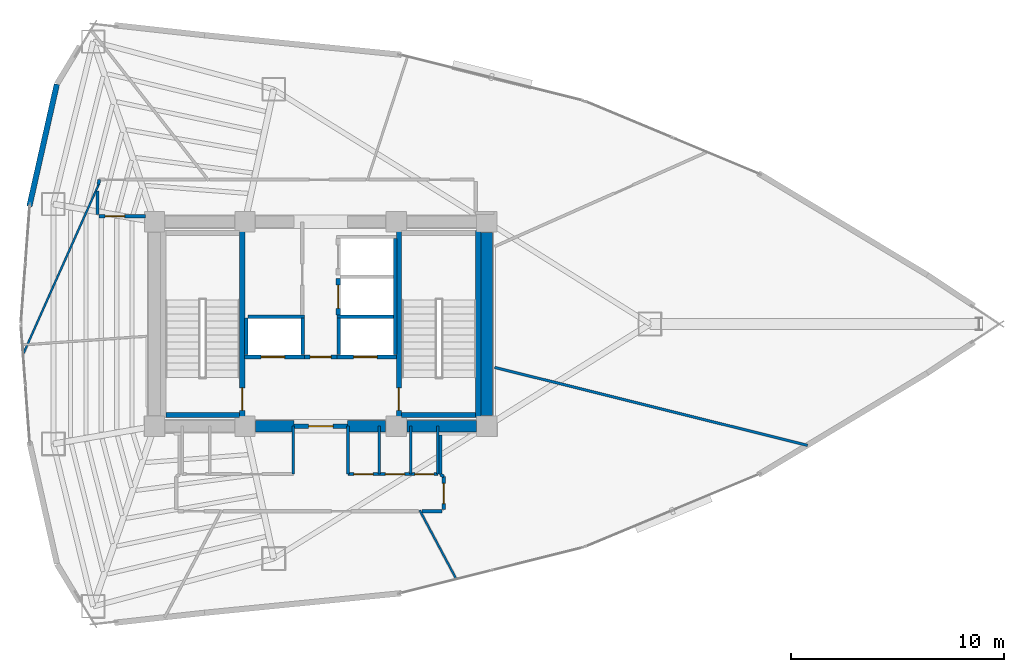
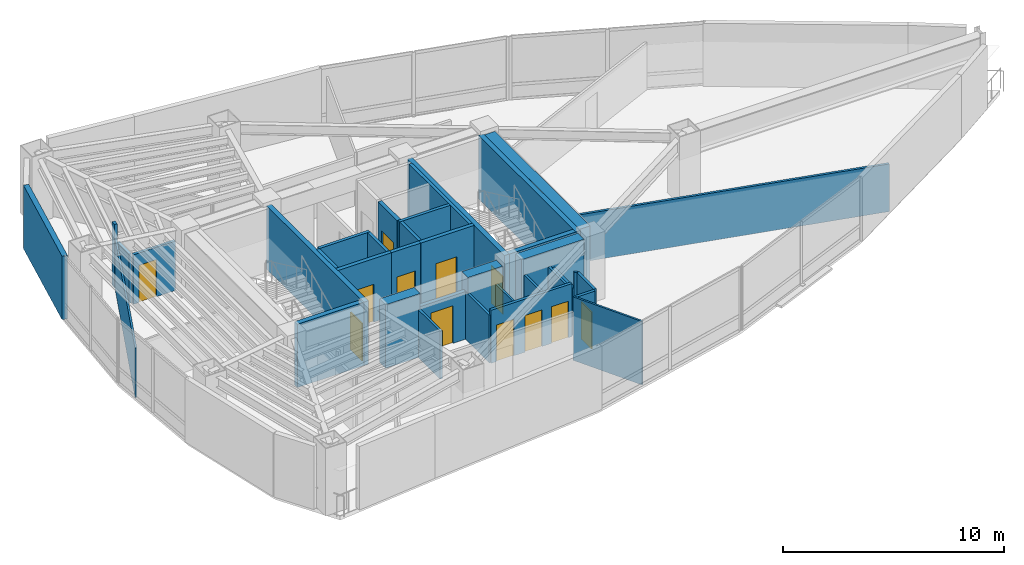
# One storey, part 14 of 18: 37 walls, 12 doors, 12 openings.
"""IFC4 building model written with IfcOpenShell, lengths in metres."""

from ifc_helpers import new_model, si_unit, direction, frame, frame_2d, origin, place, context, subcontext, project, spatial, rectangle, extrude, material, layer, layer_set, type_object, element, fill, save


model = new_model("IFC4")

# Units and contexts
model_context = context("Model", 3, precision=1e-05, world=origin(), true_north=direction((0.0, 1.0)))
body_context = subcontext(model_context, "Body", "Model", "MODEL_VIEW")
ifc_project = project(units=[si_unit("LENGTHUNIT", "METRE"), si_unit("AREAUNIT", "SQUARE_METRE"), si_unit("VOLUMEUNIT", "CUBIC_METRE"), si_unit("PLANEANGLEUNIT", "RADIAN"), si_unit("MASSUNIT", "GRAM", prefix="KILO")], contexts=[model_context])

# Site, building, storey
site_placement = place(None, origin())
site = spatial("IfcSite", under=ifc_project, at=site_placement, CompositionType="ELEMENT")
building_placement = place(site_placement, origin())
building = spatial("IfcBuilding", under=site, at=building_placement, Name="Menara Vayukalpa", CompositionType="ELEMENT")
storey_placement = place(building_placement, frame((0.0, 0.0, 158.0400390625)))
storey = spatial("IfcBuildingStorey", under=building, at=storey_placement, Name="L39", CompositionType="ELEMENT", Elevation=158.0400390625)

# Walls
ifc_material_1 = material(Name="Concrete C60/75", Category="concrete")
ifc_layer_1 = layer(ifc_material_1, 0.550048828125)
ifc_layer_set_1 = layer_set([ifc_layer_1], Name="Concrete C60/75")
wall_type_1 = type_object("IfcWallType", Name="WAL-CW550", PredefinedType="SHEAR", material=ifc_layer_set_1)
wall_1_placement = place(storey_placement, frame((22.544921875, 17.199951171875, 0.0), z_axis=(0.0, 0.0, 1.0), x_axis=(1.0, 0.0, 0.0)))
element("IfcWall", 1, at=wall_1_placement, inside=storey, type_object=wall_type_1, Name="L39 Buttressed Core Shear Wall CWS2", PredefinedType="SHEAR", context=body_context, shape_type="SweptSolid", body=[
    extrude(rectangle(XDim=1.80517578125, YDim=0.550048828125, at=frame_2d((0.902587890625, 0.0))), origin(), (0.0, 0.0, 1.0), 3.5),
])
wall_2_placement = place(storey_placement, frame((26.85009765625, 17.199951171875, 0.0), z_axis=(0.0, 0.0, 1.0), x_axis=(1.0, 0.0, 0.0)))
element("IfcWall", 2, at=wall_2_placement, inside=storey, type_object=wall_type_1, Name="L39 Buttressed Core Shear Wall CWS3", PredefinedType="SHEAR", context=body_context, shape_type="SweptSolid", body=[
    extrude(rectangle(XDim=1.804931640625, YDim=0.550048828125, at=frame_2d((0.90234375, 0.0))), origin(), (0.0, 0.0, 1.0), 3.5),
])
wall_3_placement = place(storey_placement, frame((29.64501953125, 17.199951171875, 0.0), z_axis=(0.0, 0.0, 1.0), x_axis=(1.0, 0.0, 0.0)))
element("IfcWall", 3, at=wall_3_placement, inside=storey, type_object=wall_type_1, Name="L39 Buttressed Core Shear Wall CWS4", PredefinedType="SHEAR", context=body_context, shape_type="SweptSolid", body=[
    extrude(rectangle(XDim=3.260009765625, YDim=0.550048828125, at=frame_2d((1.6298828125, 0.0))), origin(), (0.0, 0.0, 1.0), 3.5),
])
wall_4_placement = place(storey_placement, frame((33.39990234375, 17.695068359375, 0.0), z_axis=(0.0, 0.0, 1.0), x_axis=(0.0, 1.0, 0.0)))
element("IfcWall", 4, at=wall_4_placement, inside=storey, type_object=wall_type_1, Name="L39 Buttressed Core Shear Wall CWE1", PredefinedType="SHEAR", context=body_context, shape_type="SweptSolid", body=[
    extrude(rectangle(XDim=8.60986328125, YDim=0.550048828125, at=frame_2d((4.304931640625, 0.0))), origin(), (0.0, 0.0, 1.0), 3.5),
])
ifc_material_2 = material(Name="Insulated Precast Concrete C40/50", Category="concrete")
ifc_layer_2 = layer(ifc_material_2, 0.260009765625)
ifc_layer_set_2 = layer_set([ifc_layer_2], Name="Insulated Precast Concrete C40/50")
wall_type_2 = type_object("IfcWallType", Name="WAL-EXT260", PredefinedType="PARTITIONING", material=ifc_layer_set_2)
wall_5_placement = place(storey_placement, frame((11.925048828125, 27.5244140625, 0.0), z_axis=(0.0, 0.0, 1.0), x_axis=(0.219491422264, 0.975614429758, 0.0)))
element("IfcWall", 5, at=wall_5_placement, inside=storey, type_object=wall_type_2, Name="L39 Perimeter Terracotta Pier Wall 09", PredefinedType="PARTITIONING", context=body_context, shape_type="SweptSolid", body=[
    extrude(rectangle(XDim=5.873046875, YDim=0.260009765625, at=frame_2d((2.9365234375, 0.0))), origin(), (0.0, 0.0, 1.0), 3.5),
])
ifc_material_3 = material(Name="Lightweight Concrete Blockwork C16/20", Category="masonry")
ifc_layer_3 = layer(ifc_material_3, 0.159912109375)
ifc_layer_set_3 = layer_set([ifc_layer_3], Name="Lightweight Concrete Blockwork C16/20")
wall_type_3 = type_object("IfcWallType", Name="WAL-FR150", PredefinedType="PARTITIONING", material=ifc_layer_set_3)
for number, where, z_axis, x_axis, name in (
    (6, (22.10498046875, 20.56005859375, 0.0), (0.0, 0.0, 1.0), (0.0, 1.0, 0.0), "L39 Interior Partition IW-L39-SHW-WW"),
    (7, (24.7548828125, 20.56005859375, 0.0), (0.0, 0.0, 1.0), (0.0, 1.0, 0.0), "L39 Interior Partition IW-L39-SHW-W1E"),
):
    element("IfcWall", number, at=place(storey_placement, frame(where, z_axis=z_axis, x_axis=x_axis)), inside=storey, type_object=wall_type_3, Name=name, PredefinedType="PARTITIONING", context=body_context, shape_type="SweptSolid", body=[
        extrude(rectangle(XDim=1.7099609375, YDim=0.159912109375, at=frame_2d((0.85498046875, 0.0))), origin(), (0.0, 0.0, 1.0), 3.5),
    ])
wall_6_placement = place(storey_placement, frame((22.179931640625, 22.344970703125, 0.0), z_axis=(0.0, 0.0, 1.0), x_axis=(1.0, 0.0, 0.0)))
element("IfcWall", 8, at=wall_6_placement, inside=storey, type_object=wall_type_3, Name="L39 Interior Partition IW-L39-SHM-W12", PredefinedType="PARTITIONING", context=body_context, shape_type="SweptSolid", body=[
    extrude(rectangle(XDim=2.650146484375, YDim=0.159912109375, at=frame_2d((1.3251953125, 0.0))), origin(), (0.0, 0.0, 1.0), 3.5),
])
wall_7_placement = place(storey_placement, frame((29.094970703125, 20.56005859375, 0.0), z_axis=(0.0, 0.0, 1.0), x_axis=(0.0, 1.0, 0.0)))
element("IfcWall", 9, at=wall_7_placement, inside=storey, type_object=wall_type_3, Name="L39 Interior Partition IW-L39-SHW-EE", PredefinedType="PARTITIONING", context=body_context, shape_type="SweptSolid", body=[
    extrude(rectangle(XDim=5.449951171875, YDim=0.159912109375, at=frame_2d((2.72509765625, 0.0))), origin(), (0.0, 0.0, 1.0), 3.5),
])
wall_8_placement = place(storey_placement, frame((26.445068359375, 20.56005859375, 0.0), z_axis=(0.0, 0.0, 1.0), x_axis=(0.0, 1.0, 0.0)))
element("IfcWall", 10, at=wall_8_placement, inside=storey, type_object=wall_type_3, Name="L39 Interior Partition IW-L39-SHW-E1W", PredefinedType="PARTITIONING", context=body_context, shape_type="SweptSolid", body=[
    extrude(rectangle(XDim=1.7099609375, YDim=0.159912109375, at=frame_2d((0.85498046875, 0.0))), origin(), (0.0, 0.0, 1.0), 3.5),
])
wall_9_placement = place(storey_placement, frame((26.3701171875, 22.344970703125, 0.0), z_axis=(0.0, 0.0, 1.0), x_axis=(1.0, 0.0, 0.0)))
element("IfcWall", 11, at=wall_9_placement, inside=storey, type_object=wall_type_3, Name="L39 Interior Partition IW-L39-SHM-E13", PredefinedType="PARTITIONING", context=body_context, shape_type="SweptSolid", body=[
    extrude(rectangle(XDim=2.64990234375, YDim=0.159912109375, at=frame_2d((1.324951171875, 0.0))), origin(), (0.0, 0.0, 1.0), 3.5),
])

# Wall, opening, door
ifc_material_4 = material(Name="Lightweight Concrete Blockwork C16/20", Category="masonry")
ifc_layer_4 = layer(ifc_material_4, 0.199951171875)
ifc_layer_set_4 = layer_set([ifc_layer_4], Name="Lightweight Concrete Blockwork C16/20")
wall_type_4 = type_object("IfcWallType", Name="WAL-FR200", PredefinedType="PARTITIONING", material=ifc_layer_set_4)
wall_10_placement = place(storey_placement, frame((24.35009765625, 17.199951171875, 0.0), z_axis=(0.0, 0.0, 1.0), x_axis=(1.0, 0.0, 0.0)))
wall_10 = element("IfcWall", 12, at=wall_10_placement, inside=storey, type_object=wall_type_4, Name="L39 Interior Partition IW-L39-FFLS", PredefinedType="PARTITIONING", context=body_context, shape_type="SweptSolid", body=[
    extrude(rectangle(XDim=2.5, YDim=0.199951171875, at=frame_2d((1.25, 0.0))), origin(), (0.0, 0.0, 1.0), 2.6298828125),
])
opening_1_placement = place(wall_10_placement, frame((0.679931640625, 0.0, 0.0)))
opening_1 = element("IfcOpeningElement", 13, at=opening_1_placement, cuts=wall_10, Name="Opening ID2", PredefinedType="OPENING", context=body_context, shape_type="SweptSolid", body=[
    extrude(rectangle(XDim=1.14990234375, YDim=2.080078125, at=frame_2d((0.574951171875, 1.0400390625))), frame((0.0, 0.10986328125, 0.0), z_axis=(0.0, -1.0, 0.0), x_axis=(1.0, 0.0, 0.0)), (0.0, 0.0, 1.0), 0.219970703125),
])
ifc_material_5 = material(Name="Fire-Rated Powder-Coated Steel Door", Category="steel")
door_type_1 = type_object("IfcDoorType", Name="DR-FD60W", OperationType="NOTDEFINED", PredefinedType="DOOR", material=ifc_material_5)
door_1_placement = place(opening_1_placement, origin())
door_1 = element("IfcDoor", 14, at=door_1_placement, inside=storey, type_object=door_type_1, Name="L39 Interior Door DR-L39-FFLS", OperationType="SINGLE_SWING_LEFT", OverallHeight=2.080078125, OverallWidth=1.14990234375, PredefinedType="DOOR", context=body_context, shape_type="SweptSolid", body=[
    extrude(rectangle(XDim=1.14990234375, YDim=2.080078125, at=frame_2d((0.574951171875, 1.0400390625))), frame((0.0, 0.02490234375, 0.0), z_axis=(0.0, -1.0, 0.0), x_axis=(1.0, 0.0, 0.0)), (0.0, 0.0, 1.0), 0.050048828125),
])
fill(opening_1, door_1)

wall_11_placement = place(storey_placement, frame((24.840087890625, 20.449951171875, 0.0), z_axis=(0.0, 0.0, 1.0), x_axis=(1.0, 0.0, 0.0)))
wall_11 = element("IfcWall", 15, at=wall_11_placement, inside=storey, type_object=wall_type_4, Name="L39 Interior Partition IW-L39-FFLN", PredefinedType="PARTITIONING", context=body_context, shape_type="SweptSolid", body=[
    extrude(rectangle(XDim=1.52001953125, YDim=0.199951171875, at=frame_2d((0.760009765625, 0.0))), origin(), (0.0, 0.0, 1.0), 3.5),
])
opening_2_placement = place(wall_11_placement, frame((0.27001953125, 0.0, 0.0)))
opening_2 = element("IfcOpeningElement", 16, at=opening_2_placement, cuts=wall_11, Name="Opening ID3", PredefinedType="OPENING", context=body_context, shape_type="SweptSolid", body=[
    extrude(rectangle(XDim=0.97998046875, YDim=2.06005859375, at=frame_2d((0.489990234375, 1.030029296875))), frame((0.0, 0.10986328125, 0.0), z_axis=(0.0, -1.0, 0.0), x_axis=(1.0, 0.0, 0.0)), (0.0, 0.0, 1.0), 0.219970703125),
])
ifc_material_6 = material(Name="Fire-Rated Powder-Coated Steel Door", Category="steel")
door_type_2 = type_object("IfcDoorType", Name="DR-FD60", OperationType="NOTDEFINED", PredefinedType="DOOR", material=ifc_material_6)
door_2_placement = place(opening_2_placement, origin())
door_2 = element("IfcDoor", 17, at=door_2_placement, inside=storey, type_object=door_type_2, Name="L39 Interior Door DR-L39-FFLN", OperationType="SINGLE_SWING_RIGHT", OverallHeight=2.06005859375, OverallWidth=0.97998046875, PredefinedType="DOOR", context=body_context, shape_type="SweptSolid", body=[
    extrude(rectangle(XDim=0.97998046875, YDim=2.06005859375, at=frame_2d((0.489990234375, 1.030029296875))), frame((0.0, 0.02490234375, 0.0), z_axis=(0.0, -1.0, 0.0), x_axis=(1.0, 0.0, 0.0)), (0.0, 0.0, 1.0), 0.050048828125),
])
fill(opening_2, door_2)

wall_12_placement = place(storey_placement, frame((22.030029296875, 20.449951171875, 0.0), z_axis=(0.0, 0.0, 1.0), x_axis=(1.0, 0.0, 0.0)))
wall_12 = element("IfcWall", 18, at=wall_12_placement, inside=storey, type_object=wall_type_4, Name="L39 Interior Partition IW-L39-SH-W1", PredefinedType="PARTITIONING", context=body_context, shape_type="SweptSolid", body=[
    extrude(rectangle(XDim=2.800048828125, YDim=0.199951171875, at=frame_2d((1.39990234375, 0.0))), origin(), (0.0, 0.0, 1.0), 3.5),
])
opening_3_placement = place(wall_12_placement, frame((0.780029296875, 0.0, 0.0)))
opening_3 = element("IfcOpeningElement", 19, at=opening_3_placement, cuts=wall_12, Name="Opening LD1", PredefinedType="OPENING", context=body_context, shape_type="SweptSolid", body=[
    extrude(rectangle(XDim=1.10009765625, YDim=2.080078125, at=frame_2d((0.550048828125, 1.0400390625))), frame((0.0, 0.10986328125, 0.0), z_axis=(0.0, -1.0, 0.0), x_axis=(1.0, 0.0, 0.0)), (0.0, 0.0, 1.0), 0.219970703125),
])
ifc_material_7 = material(Name="Brushed Stainless Steel 316 Lift Door", Category="steel")
door_type_3 = type_object("IfcDoorType", Name="DR-LD110", OperationType="NOTDEFINED", PredefinedType="DOOR", material=ifc_material_7)
door_3_placement = place(opening_3_placement, origin())
door_3 = element("IfcDoor", 20, at=door_3_placement, inside=storey, type_object=door_type_3, Name="L39 Interior Door DR-L39-LD-W1", OperationType="DOUBLE_DOOR_SLIDING", OverallHeight=2.080078125, OverallWidth=1.10009765625, PredefinedType="DOOR", context=body_context, shape_type="SweptSolid", body=[
    extrude(rectangle(XDim=1.10009765625, YDim=2.080078125, at=frame_2d((0.550048828125, 1.0400390625))), frame((0.0, 0.02490234375, 0.0), z_axis=(0.0, -1.0, 0.0), x_axis=(1.0, 0.0, 0.0)), (0.0, 0.0, 1.0), 0.050048828125),
])
fill(opening_3, door_3)

wall_13_placement = place(storey_placement, frame((26.3701171875, 20.449951171875, 0.0), z_axis=(0.0, 0.0, 1.0), x_axis=(1.0, 0.0, 0.0)))
wall_13 = element("IfcWall", 21, at=wall_13_placement, inside=storey, type_object=wall_type_4, Name="L39 Interior Partition IW-L39-SH-E1", PredefinedType="PARTITIONING", context=body_context, shape_type="SweptSolid", body=[
    extrude(rectangle(XDim=2.7998046875, YDim=0.199951171875, at=frame_2d((1.39990234375, 0.0))), origin(), (0.0, 0.0, 1.0), 3.5),
])
opening_4_placement = place(wall_13_placement, frame((0.780029296875, 0.0, 0.0)))
opening_4 = element("IfcOpeningElement", 22, at=opening_4_placement, cuts=wall_13, Name="Opening LD1", PredefinedType="OPENING", context=body_context, shape_type="SweptSolid", body=[
    extrude(rectangle(XDim=1.10009765625, YDim=2.080078125, at=frame_2d((0.550048828125, 1.0400390625))), frame((0.0, 0.10986328125, 0.0), z_axis=(0.0, -1.0, 0.0), x_axis=(1.0, 0.0, 0.0)), (0.0, 0.0, 1.0), 0.219970703125),
])
door_4_placement = place(opening_4_placement, origin())
door_4 = element("IfcDoor", 23, at=door_4_placement, inside=storey, type_object=door_type_3, Name="L39 Interior Door DR-L39-LD-E1", OperationType="DOUBLE_DOOR_SLIDING", OverallHeight=2.080078125, OverallWidth=1.10009765625, PredefinedType="DOOR", context=body_context, shape_type="SweptSolid", body=[
    extrude(rectangle(XDim=1.10009765625, YDim=2.080078125, at=frame_2d((0.550048828125, 1.0400390625))), frame((0.0, 0.02490234375, 0.0), z_axis=(0.0, -1.0, 0.0), x_axis=(1.0, 0.0, 0.0)), (0.0, 0.0, 1.0), 0.050048828125),
])
fill(opening_4, door_4)

wall_14_placement = place(storey_placement, frame((26.419921875, 22.419921875, 0.0), z_axis=(0.0, 0.0, 1.0), x_axis=(0.0, 1.0, 0.0)))
wall_14 = element("IfcWall", 24, at=wall_14_placement, inside=storey, type_object=wall_type_4, Name="L39 Interior Partition IW-L39-SH-E3", PredefinedType="PARTITIONING", context=body_context, shape_type="SweptSolid", body=[
    extrude(rectangle(XDim=1.719970703125, YDim=0.199951171875, at=frame_2d((0.85986328125, 0.0))), origin(), (0.0, 0.0, 1.0), 3.5),
])
opening_5_placement = place(wall_14_placement, frame((0.31005859375, 0.0, 0.0)))
opening_5 = element("IfcOpeningElement", 25, at=opening_5_placement, cuts=wall_14, Name="Opening LD1", PredefinedType="OPENING", context=body_context, shape_type="SweptSolid", body=[
    extrude(rectangle(XDim=1.10009765625, YDim=2.080078125, at=frame_2d((0.550048828125, 1.0400390625))), frame((0.0, 0.10986328125, 0.0), z_axis=(0.0, -1.0, 0.0), x_axis=(1.0, 0.0, 0.0)), (0.0, 0.0, 1.0), 0.219970703125),
])
door_5_placement = place(opening_5_placement, origin())
door_5 = element("IfcDoor", 26, at=door_5_placement, inside=storey, type_object=door_type_3, Name="L39 Interior Door DR-L39-LD-E3", OperationType="DOUBLE_DOOR_SLIDING", OverallHeight=2.080078125, OverallWidth=1.10009765625, PredefinedType="DOOR", context=body_context, shape_type="SweptSolid", body=[
    extrude(rectangle(XDim=1.10009765625, YDim=2.080078125, at=frame_2d((0.550048828125, 1.0400390625))), frame((0.0, 0.02490234375, 0.0), z_axis=(0.0, -1.0, 0.0), x_axis=(1.0, 0.0, 0.0)), (0.0, 0.0, 1.0), 0.050048828125),
])
fill(opening_5, door_5)

# Walls
ifc_material_8 = material(Name="Glazed Demountable Office Partition", Category="glass")
ifc_layer_5 = layer(ifc_material_8, 0.094970703125)
ifc_layer_set_5 = layer_set([ifc_layer_5], Name="Glazed Demountable Office Partition")
wall_type_5 = type_object("IfcWallType", Name="WAL-PT100", PredefinedType="PARTITIONING", material=ifc_layer_set_5)
wall_15_placement = place(storey_placement, frame((30.2470703125, 13.260009765625, 0.0), z_axis=(0.0, 0.0, 1.0), x_axis=(0.469475406562, -0.882945549076, 0.0)))
element("IfcWall", 27, at=wall_15_placement, inside=storey, type_object=wall_type_5, Name="L39 Interior Partition IW-L39-RDIV06", PredefinedType="PARTITIONING", context=body_context, shape_type="SweptSolid", body=[
    extrude(rectangle(XDim=3.67919921875, YDim=0.094970703125, at=frame_2d((1.839599609375, 0.0))), origin(), (0.0, 0.0, 1.0), 3.5),
])
wall_16_placement = place(storey_placement, frame((15.169921875, 28.531005859375, 0.0), z_axis=(0.0, 0.0, 1.0), x_axis=(-0.406717829794, -0.913553833623, 0.0)))
element("IfcWall", 28, at=wall_16_placement, inside=storey, type_object=wall_type_5, Name="L39 Interior Partition IW-L39-RDIV08", PredefinedType="PARTITIONING", context=body_context, shape_type="SweptSolid", body=[
    extrude(rectangle(XDim=8.7177734375, YDim=0.094970703125, at=frame_2d((4.35888671875, 0.0))), origin(), (0.0, 0.0, 1.0), 2.72998046875),
])
ifc_material_9 = material(Name="Acoustic Mineral Stud Partition", Category="masonry")
ifc_layer_6 = layer(ifc_material_9, 0.110107421875)
ifc_layer_set_6 = layer_set([ifc_layer_6], Name="Acoustic Mineral Stud Partition")
wall_type_6 = type_object("IfcWallType", Name="WAL-PT110", PredefinedType="PARTITIONING", material=ifc_layer_set_6)
wall_17_placement = place(storey_placement, frame((28.35009765625, 14.949951171875, 0.0), z_axis=(0.0, 0.0, 1.0), x_axis=(0.0, 1.0, 0.0)))
element("IfcWall", 29, at=wall_17_placement, inside=storey, type_object=wall_type_6, Name="L39 Interior Partition IW-L39-SVCD-05", PredefinedType="PARTITIONING", context=body_context, shape_type="SweptSolid", body=[
    extrude(rectangle(XDim=2.25, YDim=0.110107421875, at=frame_2d((1.125, 0.0))), origin(), (0.0, 0.0, 1.0), 2.6298828125),
])
ifc_material_10 = material(Name="Gypsum Drywall Steel Stud Assembly", Category="steel")
ifc_layer_7 = layer(ifc_material_10, 0.125)
ifc_layer_set_7 = layer_set([ifc_layer_7], Name="Gypsum Drywall Steel Stud Assembly")
wall_type_7 = type_object("IfcWallType", Name="WAL-PT125", PredefinedType="PARTITIONING", material=ifc_layer_set_7)
for number, where, z_axis, x_axis, name in (
    (30, (24.320068359375, 14.949951171875, 0.0), (0.0, 0.0, 1.0), (0.0, 1.0, 0.0), "L39 Interior Partition IW-L39-SVCD-03"),
    (31, (26.8798828125, 14.949951171875, 0.0), (0.0, 0.0, 1.0), (0.0, 1.0, 0.0), "L39 Interior Partition IW-L39-SVCD-04"),
    (32, (29.830078125, 14.949951171875, 0.0), (0.0, 0.0, 1.0), (0.0, 1.0, 0.0), "L39 Interior Partition IW-L39-SVCD-06"),
    (33, (31.10009765625, 14.949951171875, 0.0), (0.0, 0.0, 1.0), (0.0, 1.0, 0.0), "L39 Interior Partition IW-L39-SVCD-07"),
):
    element("IfcWall", number, at=place(storey_placement, frame(where, z_axis=z_axis, x_axis=x_axis)), inside=storey, type_object=wall_type_7, Name=name, PredefinedType="PARTITIONING", context=body_context, shape_type="SweptSolid", body=[
        extrude(rectangle(XDim=2.25, YDim=0.125, at=frame_2d((1.125, 0.0))), origin(), (0.0, 0.0, 1.0), 2.6298828125),
    ])
wall_18_placement = place(storey_placement, frame((33.77001953125, 19.962890625, 0.0), z_axis=(0.0, 0.0, 1.0), x_axis=(0.970295996232, -0.241920812863, 0.0)))
element("IfcWall", 34, at=wall_18_placement, inside=storey, type_object=wall_type_7, Name="L39 Interior Partition IW-L39-RDIV07", PredefinedType="PARTITIONING", context=body_context, shape_type="SweptSolid", body=[
    extrude(rectangle(XDim=15.1376953125, YDim=0.125, at=frame_2d((7.56884765625, 0.0))), origin(), (0.0, 0.0, 1.0), 2.6298828125),
])

# Wall, openings, doors
ifc_material_11 = material(Name="Gypsum Drywall Acoustic Stud Assembly", Category="masonry")
ifc_layer_8 = layer(ifc_material_11, 0.14501953125)
ifc_layer_set_8 = layer_set([ifc_layer_8], Name="Gypsum Drywall Acoustic Stud Assembly")
wall_type_8 = type_object("IfcWallType", Name="WAL-PT150", PredefinedType="PARTITIONING", material=ifc_layer_set_8)
wall_19_placement = place(storey_placement, frame((26.8798828125, 14.949951171875, 0.0), z_axis=(0.0, 0.0, 1.0), x_axis=(1.0, 0.0, 0.0)))
wall_19 = element("IfcWall", 35, at=wall_19_placement, inside=storey, type_object=wall_type_8, Name="L39 Interior Partition IW-L39-SVCS-E", PredefinedType="PARTITIONING", context=body_context, shape_type="SweptSolid", body=[
    extrude(rectangle(XDim=4.22021484375, YDim=0.14501953125, at=frame_2d((2.110107421875, 0.0))), origin(), (0.0, 0.0, 1.0), 2.929931640625),
])
opening_6_placement = place(wall_19_placement, frame((0.280029296875, 0.0, 0.0)))
opening_6 = element("IfcOpeningElement", 36, at=opening_6_placement, cuts=wall_19, Name="Opening ID7", PredefinedType="OPENING", context=body_context, shape_type="SweptSolid", body=[
    extrude(rectangle(XDim=0.89990234375, YDim=2.02001953125, at=frame_2d((0.449951171875, 1.010009765625))), frame((0.0, 0.08251953125, 0.0), z_axis=(0.0, -1.0, 0.0), x_axis=(1.0, 0.0, 0.0)), (0.0, 0.0, 1.0), 0.1650390625),
])
opening_7_placement = place(wall_19_placement, frame((1.760009765625, 0.0, 0.0)))
opening_7 = element("IfcOpeningElement", 37, at=opening_7_placement, cuts=wall_19, Name="Opening ID7", PredefinedType="OPENING", context=body_context, shape_type="SweptSolid", body=[
    extrude(rectangle(XDim=0.89990234375, YDim=2.02001953125, at=frame_2d((0.449951171875, 1.010009765625))), frame((0.0, 0.08251953125, 0.0), z_axis=(0.0, -1.0, 0.0), x_axis=(1.0, 0.0, 0.0)), (0.0, 0.0, 1.0), 0.1650390625),
])
opening_8_placement = place(wall_19_placement, frame((3.139892578125, 0.0, 0.0)))
opening_8 = element("IfcOpeningElement", 38, at=opening_8_placement, cuts=wall_19, Name="Opening ID7", PredefinedType="OPENING", context=body_context, shape_type="SweptSolid", body=[
    extrude(rectangle(XDim=0.89990234375, YDim=2.02001953125, at=frame_2d((0.449951171875, 1.010009765625))), frame((0.0, 0.08251953125, 0.0), z_axis=(0.0, -1.0, 0.0), x_axis=(1.0, 0.0, 0.0)), (0.0, 0.0, 1.0), 0.1650390625),
])
ifc_material_12 = material(Name="Powder-Coated Steel Riser Access Door", Category="steel")
door_type_4 = type_object("IfcDoorType", Name="DR-RISER", OperationType="NOTDEFINED", PredefinedType="DOOR", material=ifc_material_12)
door_6_placement = place(opening_6_placement, origin())
door_6 = element("IfcDoor", 39, at=door_6_placement, inside=storey, type_object=door_type_4, Name="L39 Interior Door DR-L39-KSV1", OperationType="SINGLE_SWING_RIGHT", OverallHeight=2.02001953125, OverallWidth=0.89990234375, PredefinedType="DOOR", context=body_context, shape_type="SweptSolid", body=[
    extrude(rectangle(XDim=0.89990234375, YDim=2.02001953125, at=frame_2d((0.449951171875, 1.010009765625))), frame((0.0, 0.02490234375, 0.0), z_axis=(0.0, -1.0, 0.0), x_axis=(1.0, 0.0, 0.0)), (0.0, 0.0, 1.0), 0.050048828125),
])
fill(opening_6, door_6)
door_7_placement = place(opening_7_placement, origin())
door_7 = element("IfcDoor", 40, at=door_7_placement, inside=storey, type_object=door_type_4, Name="L39 Interior Door DR-L39-KSV2", OperationType="SINGLE_SWING_LEFT", OverallHeight=2.02001953125, OverallWidth=0.89990234375, PredefinedType="DOOR", context=body_context, shape_type="SweptSolid", body=[
    extrude(rectangle(XDim=0.89990234375, YDim=2.02001953125, at=frame_2d((0.449951171875, 1.010009765625))), frame((0.0, 0.02490234375, 0.0), z_axis=(0.0, -1.0, 0.0), x_axis=(1.0, 0.0, 0.0)), (0.0, 0.0, 1.0), 0.050048828125),
])
fill(opening_7, door_7)
door_8_placement = place(opening_8_placement, origin())
door_8 = element("IfcDoor", 41, at=door_8_placement, inside=storey, type_object=door_type_4, Name="L39 Interior Door DR-L39-SMD", OperationType="SINGLE_SWING_RIGHT", OverallHeight=2.02001953125, OverallWidth=0.89990234375, PredefinedType="DOOR", context=body_context, shape_type="SweptSolid", body=[
    extrude(rectangle(XDim=0.89990234375, YDim=2.02001953125, at=frame_2d((0.449951171875, 1.010009765625))), frame((0.0, 0.02490234375, 0.0), z_axis=(0.0, -1.0, 0.0), x_axis=(1.0, 0.0, 0.0)), (0.0, 0.0, 1.0), 0.050048828125),
])
fill(opening_8, door_8)

# Wall
wall_20_placement = place(storey_placement, frame((30.35302734375, 13.2099609375, 0.0), z_axis=(0.0, 0.0, 1.0), x_axis=(1.0, 0.0, 0.0)))
element("IfcWall", 42, at=wall_20_placement, inside=storey, type_object=wall_type_8, Name="L39 Interior Partition IW-L39-CRM03-1", PredefinedType="PARTITIONING", context=body_context, shape_type="SweptSolid", body=[
    extrude(rectangle(XDim=0.947021484375, YDim=0.14501953125, at=frame_2d((0.4736328125, 0.0))), origin(), (0.0, 0.0, 1.0), 3.5),
])

# Wall, opening, door
wall_21_placement = place(storey_placement, frame((31.3798828125, 13.2900390625, 0.0), z_axis=(0.0, 0.0, 1.0), x_axis=(0.0, 1.0, 0.0)))
wall_21 = element("IfcWall", 43, at=wall_21_placement, inside=storey, type_object=wall_type_8, Name="L39 Interior Partition IW-L39-CRM03-2", PredefinedType="PARTITIONING", context=body_context, shape_type="SweptSolid", body=[
    extrude(rectangle(XDim=1.56005859375, YDim=0.14501953125, at=frame_2d((0.780029296875, 0.0))), origin(), (0.0, 0.0, 1.0), 3.5),
])
opening_9_placement = place(wall_21_placement, frame((0.280029296875, 0.0, 0.0)))
opening_9 = element("IfcOpeningElement", 44, at=opening_9_placement, cuts=wall_21, Name="Opening ID5", PredefinedType="OPENING", context=body_context, shape_type="SweptSolid", body=[
    extrude(rectangle(XDim=0.949951171875, YDim=2.06005859375, at=frame_2d((0.47509765625, 1.030029296875))), frame((0.0, 0.08251953125, 0.0), z_axis=(0.0, -1.0, 0.0), x_axis=(1.0, 0.0, 0.0)), (0.0, 0.0, 1.0), 0.1650390625),
])
ifc_material_13 = material(Name="Acoustic Hardwood Veneer Timber Door", Category="wood")
door_type_5 = type_object("IfcDoorType", Name="DR-INT95", OperationType="NOTDEFINED", PredefinedType="DOOR", material=ifc_material_13)
door_9_placement = place(opening_9_placement, origin())
door_9 = element("IfcDoor", 45, at=door_9_placement, inside=storey, type_object=door_type_5, Name="L39 Interior Door DR-L39-RM03", OperationType="SINGLE_SWING_LEFT", OverallHeight=2.06005859375, OverallWidth=0.949951171875, PredefinedType="DOOR", context=body_context, shape_type="SweptSolid", body=[
    extrude(rectangle(XDim=0.949951171875, YDim=2.06005859375, at=frame_2d((0.47509765625, 1.030029296875))), frame((0.0, 0.02490234375, 0.0), z_axis=(0.0, -1.0, 0.0), x_axis=(1.0, 0.0, 0.0)), (0.0, 0.0, 1.0), 0.050048828125),
])
fill(opening_9, door_9)

# Wall
wall_22_placement = place(storey_placement, frame((31.219970703125, 14.929931640625, 0.0), z_axis=(0.0, 0.0, 1.0), x_axis=(0.0, 1.0, 0.0)))
element("IfcWall", 46, at=wall_22_placement, inside=storey, type_object=wall_type_8, Name="L39 Interior Partition IW-L39-CRM03-3", PredefinedType="PARTITIONING", context=body_context, shape_type="SweptSolid", body=[
    extrude(rectangle(XDim=1.85009765625, YDim=0.14501953125, at=frame_2d((0.925048828125, 0.0))), origin(), (0.0, 0.0, 1.0), 2.6298828125),
])

# Wall, opening, door
wall_23_placement = place(storey_placement, frame((15.199951171875, 27.06005859375, 0.0), z_axis=(0.0, 0.0, 1.0), x_axis=(1.0, 0.0, 0.0)))
wall_23 = element("IfcWall", 47, at=wall_23_placement, inside=storey, type_object=wall_type_8, Name="L39 Interior Partition IW-L39-CRM08-1", PredefinedType="PARTITIONING", context=body_context, shape_type="SweptSolid", body=[
    extrude(rectangle(XDim=2.179931640625, YDim=0.14501953125, at=frame_2d((1.08984375, 0.0))), origin(), (0.0, 0.0, 1.0), 2.72998046875),
])
opening_10_placement = place(wall_23_placement, frame((0.280029296875, 0.0, 0.0)))
opening_10 = element("IfcOpeningElement", 48, at=opening_10_placement, cuts=wall_23, Name="Opening ID6", PredefinedType="OPENING", context=body_context, shape_type="SweptSolid", body=[
    extrude(rectangle(XDim=0.919921875, YDim=2.050048828125, at=frame_2d((0.4599609375, 1.02490234375))), frame((0.0, 0.08251953125, 0.0), z_axis=(0.0, -1.0, 0.0), x_axis=(1.0, 0.0, 0.0)), (0.0, 0.0, 1.0), 0.1650390625),
])
ifc_material_14 = material(Name="Acoustic Hardwood Veneer Timber Door", Category="wood")
door_type_6 = type_object("IfcDoorType", Name="DR-INT92", OperationType="NOTDEFINED", PredefinedType="DOOR", material=ifc_material_14)
door_10_placement = place(opening_10_placement, origin())
door_10 = element("IfcDoor", 49, at=door_10_placement, inside=storey, type_object=door_type_6, Name="L39 Interior Door DR-L39-RM08", OperationType="SINGLE_SWING_LEFT", OverallHeight=2.050048828125, OverallWidth=0.919921875, PredefinedType="DOOR", context=body_context, shape_type="SweptSolid", body=[
    extrude(rectangle(XDim=0.919921875, YDim=2.050048828125, at=frame_2d((0.4599609375, 1.02490234375))), frame((0.0, 0.02490234375, 0.0), z_axis=(0.0, -1.0, 0.0), x_axis=(1.0, 0.0, 0.0)), (0.0, 0.0, 1.0), 0.050048828125),
])
fill(opening_10, door_10)

# Walls
wall_24_placement = place(storey_placement, frame((15.1201171875, 28.24658203125, 0.0), z_axis=(0.0, 0.0, 1.0), x_axis=(0.0, -1.0, 0.0)))
element("IfcWall", 50, at=wall_24_placement, inside=storey, type_object=wall_type_8, Name="L39 Interior Partition IW-L39-CRM08-2", PredefinedType="PARTITIONING", context=body_context, shape_type="SweptSolid", body=[
    extrude(rectangle(XDim=1.106689453125, YDim=0.14501953125, at=frame_2d((0.55322265625, 0.0))), origin(), (0.0, 0.0, 1.0), 2.72998046875),
])
wall_25_placement = place(storey_placement, frame((31.3798828125, 14.85009765625, 0.0), z_axis=(0.0, 0.0, 1.0), x_axis=(-0.89470021502, 0.446667130247, 0.0)))
element("IfcWall", 51, at=wall_25_placement, inside=storey, type_object=wall_type_8, Name="L39 Interior Partition IW-L39-CRM03-2-R1", PredefinedType="PARTITIONING", context=body_context, shape_type="SweptSolid", body=[
    extrude(rectangle(XDim=0.1787109375, YDim=0.14501953125, at=frame_2d((0.08935546875, 0.0))), origin(), (0.0, 0.0, 1.0), 3.5),
])
wall_26_placement = place(storey_placement, frame((15.199951171875, 28.780029296875, 0.0), z_axis=(0.0, 0.0, 1.0), x_axis=(-0.119720914767, -0.992807585873, 0.0)))
element("IfcWall", 52, at=wall_26_placement, inside=storey, type_object=wall_type_8, Name="L39 Interior Partition IW-L39-CRM07-1-R1", PredefinedType="PARTITIONING", context=body_context, shape_type="SweptSolid", body=[
    extrude(rectangle(XDim=0.250732421875, YDim=0.14501953125, at=frame_2d((0.12548828125, 0.0))), origin(), (0.0, 0.0, 1.0), 3.5),
])

# Wall, opening, door
ifc_material_15 = material(Name="Concrete C50/60", Category="concrete")
ifc_layer_9 = layer(ifc_material_15, 0.25)
ifc_layer_set_9 = layer_set([ifc_layer_9], Name="Concrete C50/60")
wall_type_9 = type_object("IfcWallType", Name="WAL-SW250", PredefinedType="SHEAR", material=ifc_layer_set_9)
wall_27_placement = place(storey_placement, frame((21.925048828125, 17.60009765625, 0.0), z_axis=(0.0, 0.0, 1.0), x_axis=(0.0, 1.0, 0.0)))
wall_27 = element("IfcWall", 53, at=wall_27_placement, inside=storey, type_object=wall_type_9, Name="L39 ST1 Structural Stair Shaft Wall E", PredefinedType="SHEAR", context=body_context, shape_type="SweptSolid", body=[
    extrude(rectangle(XDim=8.7998046875, YDim=0.25, at=frame_2d((4.39990234375, 0.0))), origin(), (0.0, 0.0, 1.0), 3.5),
])
opening_11_placement = place(wall_27_placement, frame((0.35009765625, 0.0, 0.0)))
opening_11 = element("IfcOpeningElement", 54, at=opening_11_placement, cuts=wall_27, Name="Opening ID1", PredefinedType="OPENING", context=body_context, shape_type="SweptSolid", body=[
    extrude(rectangle(XDim=1.050048828125, YDim=2.080078125, at=frame_2d((0.52490234375, 1.0400390625))), frame((0.0, 0.135009765625, 0.0), z_axis=(0.0, -1.0, 0.0), x_axis=(1.0, 0.0, 0.0)), (0.0, 0.0, 1.0), 0.27001953125),
])
ifc_material_16 = material(Name="Fire-Rated Powder-Coated Steel Door", Category="steel")
door_type_7 = type_object("IfcDoorType", Name="DR-FD120", OperationType="NOTDEFINED", PredefinedType="DOOR", material=ifc_material_16)
door_11_placement = place(opening_11_placement, origin())
door_11 = element("IfcDoor", 55, at=door_11_placement, inside=storey, type_object=door_type_7, Name="L39 Stair Exit Door DR-L39-ST1", OperationType="SINGLE_SWING_LEFT", OverallHeight=2.080078125, OverallWidth=1.050048828125, PredefinedType="DOOR", context=body_context, shape_type="SweptSolid", body=[
    extrude(rectangle(XDim=1.050048828125, YDim=2.080078125, at=frame_2d((0.52490234375, 1.0400390625))), frame((0.0, 0.02490234375, 0.0), z_axis=(0.0, -1.0, 0.0), x_axis=(1.0, 0.0, 0.0)), (0.0, 0.0, 1.0), 0.050048828125),
])
fill(opening_11, door_11)

# Wall
wall_28_placement = place(storey_placement, frame((18.3291015625, 17.72509765625, 0.0), z_axis=(0.0, 0.0, 1.0), x_axis=(1.0, 0.0, 0.0)))
element("IfcWall", 56, at=wall_28_placement, inside=storey, type_object=wall_type_9, Name="L39 ST1 Structural Stair Shaft Wall S", PredefinedType="SHEAR", context=body_context, shape_type="SweptSolid", body=[
    extrude(rectangle(XDim=3.470947265625, YDim=0.25, at=frame_2d((1.7353515625, 0.0))), origin(), (0.0, 0.0, 1.0), 3.5),
])

# Wall, opening, door
wall_29_placement = place(storey_placement, frame((29.27490234375, 17.60009765625, 0.0), z_axis=(0.0, 0.0, 1.0), x_axis=(0.0, 1.0, 0.0)))
wall_29 = element("IfcWall", 57, at=wall_29_placement, inside=storey, type_object=wall_type_9, Name="L39 ST2 Structural Stair Shaft Wall W", PredefinedType="SHEAR", context=body_context, shape_type="SweptSolid", body=[
    extrude(rectangle(XDim=8.7998046875, YDim=0.25, at=frame_2d((4.39990234375, 0.0))), origin(), (0.0, 0.0, 1.0), 3.5),
])
opening_12_placement = place(wall_29_placement, frame((0.35009765625, 0.0, 0.0)))
opening_12 = element("IfcOpeningElement", 58, at=opening_12_placement, cuts=wall_29, Name="Opening ID1", PredefinedType="OPENING", context=body_context, shape_type="SweptSolid", body=[
    extrude(rectangle(XDim=1.050048828125, YDim=2.080078125, at=frame_2d((0.52490234375, 1.0400390625))), frame((0.0, 0.135009765625, 0.0), z_axis=(0.0, -1.0, 0.0), x_axis=(1.0, 0.0, 0.0)), (0.0, 0.0, 1.0), 0.27001953125),
])
door_12_placement = place(opening_12_placement, origin())
door_12 = element("IfcDoor", 59, at=door_12_placement, inside=storey, type_object=door_type_7, Name="L39 Stair Exit Door DR-L39-ST2", OperationType="SINGLE_SWING_RIGHT", OverallHeight=2.080078125, OverallWidth=1.050048828125, PredefinedType="DOOR", context=body_context, shape_type="SweptSolid", body=[
    extrude(rectangle(XDim=1.050048828125, YDim=2.080078125, at=frame_2d((0.52490234375, 1.0400390625))), frame((0.0, 0.02490234375, 0.0), z_axis=(0.0, -1.0, 0.0), x_axis=(1.0, 0.0, 0.0)), (0.0, 0.0, 1.0), 0.050048828125),
])
fill(opening_12, door_12)

# Walls
wall_30_placement = place(storey_placement, frame((32.99609375, 17.60009765625, 0.0), z_axis=(0.0, 0.0, 1.0), x_axis=(0.0, 1.0, 0.0)))
element("IfcWall", 60, at=wall_30_placement, inside=storey, type_object=wall_type_9, Name="L39 ST2 Structural Stair Shaft Wall E", PredefinedType="SHEAR", context=body_context, shape_type="SweptSolid", body=[
    extrude(rectangle(XDim=8.7998046875, YDim=0.25, at=frame_2d((4.39990234375, 0.0))), origin(), (0.0, 0.0, 1.0), 3.5),
])
wall_31_placement = place(storey_placement, frame((29.39990234375, 17.72509765625, 0.0), z_axis=(0.0, 0.0, 1.0), x_axis=(1.0, 0.0, 0.0)))
element("IfcWall", 61, at=wall_31_placement, inside=storey, type_object=wall_type_9, Name="L39 ST2 Structural Stair Shaft Wall S", PredefinedType="SHEAR", context=body_context, shape_type="SweptSolid", body=[
    extrude(rectangle(XDim=3.47119140625, YDim=0.25, at=frame_2d((1.735595703125, 0.0))), origin(), (0.0, 0.0, 1.0), 3.5),
])

save(model, "model.ifc")
